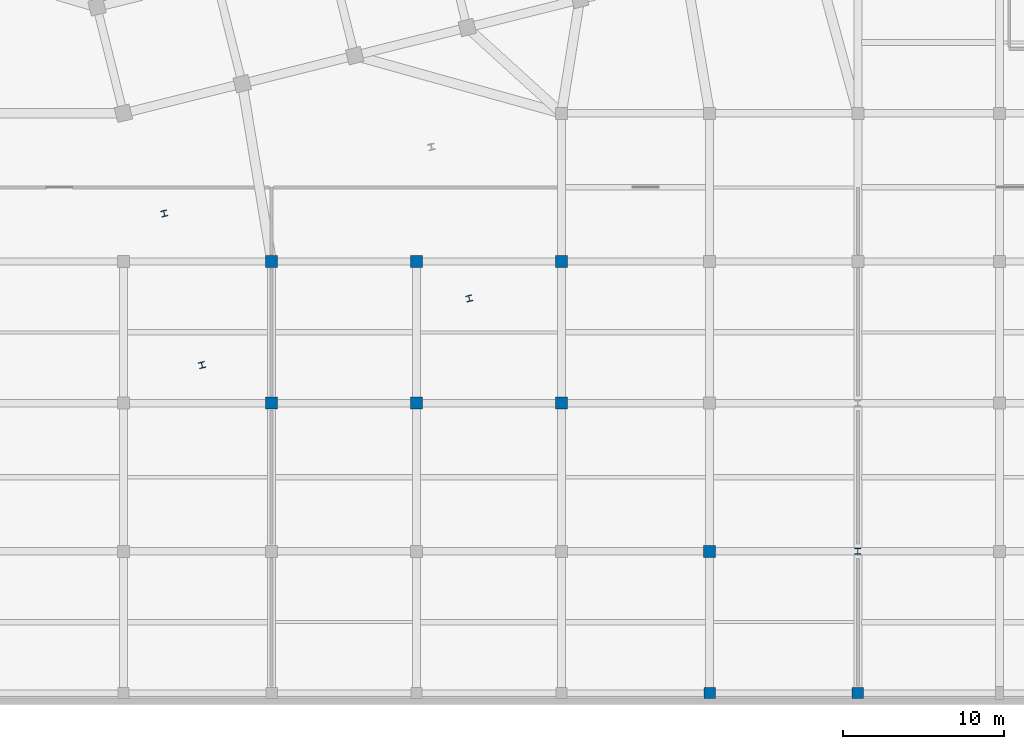
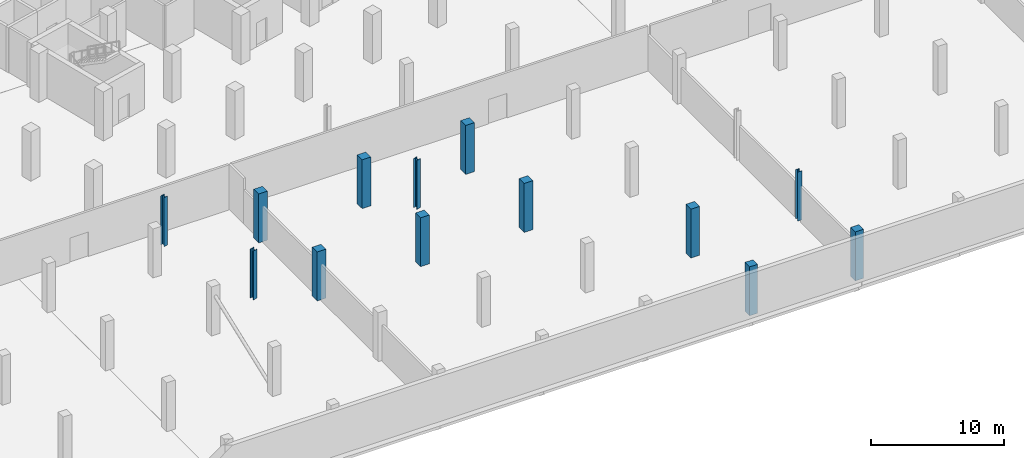
# One storey, part 4 of 31: 13 columns.
"""IFC4 building model written with IfcOpenShell, lengths in metres."""

import ifcopenshell
import ifcopenshell.guid

model = None  # the IFC model being written
_history = None  # IfcOwnerHistory: only IFC2X3 demands one
_inside = {}  # id of a spatial element -> (the spatial element, [elements in it])
_under = {}  # id of a project, library or spatial element -> (it, [spatial elements below it])
_declared = {}  # id of a project -> (the project, [libraries it declares])
_typed = {}  # id of a type object -> (the type object, [elements of that type])
_made_of = {}  # id of a material, layer set ... -> (it, [elements and type objects made of it])


def new_model(schema):
    """Start an empty IFC model of exactly this schema.

    Asked for "IFC4X3", IfcOpenShell would pick the latest addendum, in which some entities
    have other attributes; the version numbers below select the first issue.
    IFC2X3 requires an IfcOwnerHistory on every rooted entity: one is made here for all.
    """
    global model, _history
    if schema == "IFC4X3":
        model = ifcopenshell.file(schema_version=(4, 3, 0, 0))
    else:
        model = ifcopenshell.file(schema=schema)
    _inside.clear()
    _under.clear()
    _declared.clear()
    _typed.clear()
    _made_of.clear()
    _history = None
    if model.schema == "IFC2X3":
        org = make("IfcOrganization", Name="unknown")
        user = make(
            "IfcPersonAndOrganization",
            ThePerson=make("IfcPerson", FamilyName="unknown"),
            TheOrganization=org,
        )
        app = make(
            "IfcApplication",
            ApplicationDeveloper=org,
            Version="unknown",
            ApplicationFullName="unknown",
            ApplicationIdentifier="unknown",
        )
        _history = make(
            "IfcOwnerHistory",
            OwningUser=user,
            OwningApplication=app,
            ChangeAction="ADDED",
            CreationDate=0,
        )
    return model


def make(cls, **values):
    """One entity of the class cls with the attributes given. An attribute that is None is left unset."""
    return model.create_entity(
        cls, **{name: value for name, value in values.items() if value is not None}
    )


def rooted(cls, **values):
    """An entity with a GlobalId (a new one), such as an element, a storey or a relation."""
    return make(cls, GlobalId=ifcopenshell.guid.new(), OwnerHistory=_history, **values)


def si_unit(unit_type, name, prefix=None):
    """IfcSIUnit, for example si_unit("LENGTHUNIT", "METRE", prefix="MILLI")."""
    return make("IfcSIUnit", UnitType=unit_type, Prefix=prefix, Name=name)


def assignment(units):
    """IfcUnitAssignment: the units of a project."""
    return None if units is None else make("IfcUnitAssignment", Units=units)


def point(xyz):
    """IfcCartesianPoint."""
    return None if xyz is None else make("IfcCartesianPoint", Coordinates=xyz)


def direction(xyz):
    """IfcDirection."""
    return None if xyz is None else make("IfcDirection", DirectionRatios=xyz)


def frame(location, z_axis=None, x_axis=None):
    """IfcAxis2Placement3D, a coordinate frame: its origin and axes. An axis left out is left unset."""
    return make(
        "IfcAxis2Placement3D",
        Location=point(location),
        Axis=direction(z_axis),
        RefDirection=direction(x_axis),
    )


def frame_2d(location, x_axis=None):
    """IfcAxis2Placement2D, a coordinate frame in the plane: its origin and x axis."""
    return make(
        "IfcAxis2Placement2D", Location=point(location), RefDirection=direction(x_axis)
    )


def origin():
    """The frame at (0, 0, 0) with its axes left unset."""
    return frame((0.0, 0.0, 0.0))


def origin_2d():
    """The frame at (0, 0) in the plane with its x axis left unset."""
    return frame_2d((0.0, 0.0))


def place(relative_to, where):
    """IfcLocalPlacement: puts the frame where relative to a parent placement (None: the world)."""
    return make(
        "IfcLocalPlacement", PlacementRelTo=relative_to, RelativePlacement=where
    )


def context(
    kind, dimensions, precision=None, world=None, true_north=None, identifier=None
):
    """IfcGeometricRepresentationContext, for example the 3D "Model" context."""
    return make(
        "IfcGeometricRepresentationContext",
        ContextIdentifier=identifier,
        ContextType=kind,
        CoordinateSpaceDimension=dimensions,
        Precision=precision,
        WorldCoordinateSystem=world,
        TrueNorth=true_north,
    )


def subcontext(parent, identifier, kind, view, scale=None):
    """IfcGeometricRepresentationSubContext, for example "Body" below "Model"."""
    return make(
        "IfcGeometricRepresentationSubContext",
        ContextIdentifier=identifier,
        ContextType=kind,
        ParentContext=parent,
        TargetScale=scale,
        TargetView=view,
    )


def project(units=None, contexts=None):
    """IfcProject with its units and contexts."""
    return rooted(
        "IfcProject",
        Name="project",
        RepresentationContexts=contexts,
        UnitsInContext=assignment(units),
    )


def spatial(cls, under=None, at=None, **own):
    """A site, building, storey or space (cls), placed at a placement, below another one or the project."""
    s = rooted(cls, ObjectPlacement=at, **own)
    if under is not None:
        _under.setdefault(under.id(), (under, []))[1].append(s)
    return s


def profile(cls, at=None, kind="AREA", **sizes):
    """A parametric profile (cls). Its sizes go by their IFC names, for example OverallWidth=200.0."""
    return make(cls, ProfileType=kind, Position=at, **sizes)


def rectangle(**sizes):
    """IfcRectangleProfileDef."""
    return profile("IfcRectangleProfileDef", **sizes)


def i_section(**sizes):
    """IfcIShapeProfileDef."""
    return profile("IfcIShapeProfileDef", **sizes)


def extrude(swept, where, along, depth):
    """IfcExtrudedAreaSolid: the profile swept, set in the frame where, extruded along a direction by depth."""
    return make(
        "IfcExtrudedAreaSolid",
        SweptArea=swept,
        Position=where,
        ExtrudedDirection=direction(along),
        Depth=depth,
    )


def shape(context_of_items, identifier, shape_type, items):
    """IfcShapeRepresentation: the items that make up one representation, for example the "Body"."""
    return make(
        "IfcShapeRepresentation",
        ContextOfItems=context_of_items,
        RepresentationIdentifier=identifier,
        RepresentationType=shape_type,
        Items=items,
    )


def material(Name=None, Category=None):
    """IfcMaterial."""
    return make("IfcMaterial", Name=Name, Category=Category)


def material_profile(
    of_material, cross_section, Name=None, Category=None, Priority=None
):
    """IfcMaterialProfile: a cross section and its material."""
    return make(
        "IfcMaterialProfile",
        Name=Name,
        Material=of_material,
        Profile=cross_section,
        Priority=Priority,
        Category=Category,
    )


def profile_set(profiles, Name=None, composite=None):
    """IfcMaterialProfileSet."""
    return make(
        "IfcMaterialProfileSet",
        Name=Name,
        MaterialProfiles=profiles,
        CompositeProfile=composite,
    )


def made_of(thing, what):
    """Note that an element or type object is made of a material, layer set ...; save() writes the relation."""
    if what is not None:
        _made_of.setdefault(what.id(), (what, []))[1].append(thing)
    return thing


def type_object(cls, material=None, **own):
    """A type object (cls), such as IfcWallType, which elements share."""
    return made_of(rooted(cls, **own), material)


def element(
    cls,
    number,
    at=None,
    inside=None,
    cuts=None,
    type_object=None,
    material=None,
    context=None,
    identifier="Body",
    shape_type=None,
    held_by="IfcProductDefinitionShape",
    body=None,
    shapes=None,
    **own,
):
    """One element of the class cls, such as IfcWall. Its Tag is "e" and its number.

    at: its placement. inside: the storey or other place that contains it. cuts: it is an
    opening in that element (IfcRelVoidsElement). A single representation is given by context,
    identifier, shape_type and body (its items); several are given by shapes. held_by: the class
    of the entity that holds the representations. save() writes the other relations.
    """
    e = rooted(cls, Tag="e%d" % number, ObjectPlacement=at, **own)
    if body is not None:
        shapes = [shape(context, identifier, shape_type, body)]
    if shapes is not None:
        e.Representation = make(held_by, Representations=shapes)
    if inside is not None:
        _inside.setdefault(inside.id(), (inside, []))[1].append(e)
    if cuts is not None:
        rooted(
            "IfcRelVoidsElement", RelatingBuildingElement=cuts, RelatedOpeningElement=e
        )
    if type_object is not None:
        _typed.setdefault(type_object.id(), (type_object, []))[1].append(e)
    return made_of(e, material)


def aggregate(whole, parts):
    """IfcRelAggregates: a whole, such as a stair, and the parts it consists of."""
    return rooted("IfcRelAggregates", RelatingObject=whole, RelatedObjects=parts)


def save(model, path):
    """Write the relations noted so far, then the file.

    IfcRelAggregates (storeys below a building ...), IfcRelContainedInSpatialStructure (elements
    in a storey), IfcRelDefinesByType, IfcRelAssociatesMaterial and IfcRelDeclares: one each for
    every whole, place, type object, material and project.
    """
    for whole, parts in _under.values():
        aggregate(whole, parts)
    for where, things in _inside.values():
        rooted(
            "IfcRelContainedInSpatialStructure",
            RelatedElements=things,
            RelatingStructure=where,
        )
    for kind, things in _typed.values():
        rooted("IfcRelDefinesByType", RelatedObjects=things, RelatingType=kind)
    for what, things in _made_of.values():
        rooted("IfcRelAssociatesMaterial", RelatedObjects=things, RelatingMaterial=what)
    for by, libraries in _declared.values():
        rooted("IfcRelDeclares", RelatingContext=by, RelatedDefinitions=libraries)
    model.write(path)


model = new_model("IFC4")

# Units and contexts
model_context = context("Model", 3, precision=1e-05, world=origin(), true_north=direction((0.0, 1.0)))
body_context = subcontext(model_context, "Body", "Model", "MODEL_VIEW")
ifc_project = project(units=[si_unit("LENGTHUNIT", "METRE"), si_unit("AREAUNIT", "SQUARE_METRE"), si_unit("VOLUMEUNIT", "CUBIC_METRE"), si_unit("PLANEANGLEUNIT", "RADIAN"), si_unit("MASSUNIT", "GRAM", prefix="KILO")], contexts=[model_context])

# Site, building, storey
site_placement = place(None, origin())
site = spatial("IfcSite", under=ifc_project, at=site_placement, CompositionType="ELEMENT")
building_placement = place(site_placement, origin())
building = spatial("IfcBuilding", under=site, at=building_placement, Name="Meriwether Solvik Hall", CompositionType="ELEMENT")
storey_placement = place(building_placement, frame((0.0, 0.0, -4.5)))
storey = spatial("IfcBuildingStorey", under=building, at=storey_placement, Name="B01", CompositionType="ELEMENT", Elevation=-4.5)

# Columns
ifc_material_1 = material(Name="Concrete C40/50", Category="concrete")
ifc_material_profile_1 = material_profile(ifc_material_1, rectangle(XDim=0.699951171875, YDim=0.699951171875, at=origin_2d()), Name="RCC-700X700")
ifc_profile_set_1 = profile_set([ifc_material_profile_1], Name="Concrete C40/50")
column_type_1 = type_object("IfcColumnType", Name="COL-RC-700", PredefinedType="COLUMN", material=ifc_profile_set_1)
for number, where, z_axis, x_axis, name in (
    (1, (105.0, 5.199951171875, 0.0), (0.0, 0.0, 1.0), (1.0, 0.0, 0.0), "Podium Column 12/A (B01)"),
    (2, (114.199951171875, 5.199951171875, 0.0), (0.0, 0.0, 1.0), (1.0, 0.0, 0.0), "Podium Column 13/A (B01)"),
):
    element("IfcColumn", number, at=place(storey_placement, frame(where, z_axis=z_axis, x_axis=x_axis)), inside=storey, type_object=column_type_1, Name=name, PredefinedType="COLUMN", context=body_context, shape_type="SweptSolid", body=[
        extrude(rectangle(XDim=0.699951171875, YDim=0.699951171875, at=origin_2d()), origin(), (0.0, 0.0, 1.0), 4.5),
    ])
ifc_material_2 = material(Name="Concrete C40/50", Category="concrete")
ifc_material_profile_2 = material_profile(ifc_material_2, rectangle(XDim=0.75, YDim=0.75, at=origin_2d()), Name="RCC-750X750")
ifc_profile_set_2 = profile_set([ifc_material_profile_2], Name="Concrete C40/50")
column_type_2 = type_object("IfcColumnType", Name="COL-RC-750", PredefinedType="COLUMN", material=ifc_profile_set_2)
for number, where, z_axis, x_axis, name in (
    (3, (77.800048828125, 23.199951171875, 0.0), (0.0, 0.0, 1.0), (1.0, 0.0, 0.0), "Podium Column 9/C (B01)"),
    (4, (77.800048828125, 32.0, 0.0), (0.0, 0.0, 1.0), (1.0, 0.0, 0.0), "Podium Column 9/D (B01)"),
    (5, (86.800048828125, 23.199951171875, 0.0), (0.0, 0.0, 1.0), (1.0, 0.0, 0.0), "Podium Column 10/C (B01)"),
    (6, (86.800048828125, 32.0, 0.0), (0.0, 0.0, 1.0), (1.0, 0.0, 0.0), "Podium Column 10/D (B01)"),
    (7, (95.800048828125, 23.199951171875, 0.0), (0.0, 0.0, 1.0), (1.0, 0.0, 0.0), "Podium Column 11/C (B01)"),
    (8, (95.800048828125, 32.0, 0.0), (0.0, 0.0, 1.0), (1.0, 0.0, 0.0), "Podium Column 11/D (B01)"),
    (9, (105.0, 14.0, 0.0), (0.0, 0.0, 1.0), (1.0, 0.0, 0.0), "Podium Column 12/B (B01)"),
):
    element("IfcColumn", number, at=place(storey_placement, frame(where, z_axis=z_axis, x_axis=x_axis)), inside=storey, type_object=column_type_2, Name=name, PredefinedType="COLUMN", context=body_context, shape_type="SweptSolid", body=[
        extrude(rectangle(XDim=0.75, YDim=0.75, at=origin_2d()), origin(), (0.0, 0.0, 1.0), 4.5),
    ])
ifc_material_3 = material(Name="Steel A992 Grade 50", Category="steel")
ifc_material_profile_3 = material_profile(ifc_material_3, i_section(OverallWidth=0.3740234375, OverallDepth=0.3720703125, WebThickness=0.016357421875, FlangeThickness=0.026123046875, at=origin_2d()), Name="W14X132")
ifc_profile_set_3 = profile_set([ifc_material_profile_3], Name="Steel A992 Grade 50")
column_type_3 = type_object("IfcColumnType", Name="COL-STL-W14X132", PredefinedType="COLUMN", material=ifc_profile_set_3)
for number, where, z_axis, x_axis, name in (
    (10, (114.199951171875, 14.0, 0.0), (0.0, 0.0, 1.0), (1.0, 0.0, 0.0), "Podium Column 13/B (B01)"),
    (11, (73.477294921875, 25.5654296875, 0.0), (0.0, 0.0, 1.0), (0.970295726276, 0.2419218956, 0.0), "Atrium Cleft Corner Column SW (B01)"),
    (12, (90.0693359375, 29.702392578125, 0.0), (0.0, 0.0, 1.0), (0.970295726276, 0.2419218956, 0.0), "Atrium Cleft Corner Column SE (B01)"),
    (13, (71.130615234375, 34.977294921875, 0.0), (0.0, 0.0, 1.0), (0.970295726276, 0.2419218956, 0.0), "Atrium Cleft Corner Column NW (B01)"),
):
    element("IfcColumn", number, at=place(storey_placement, frame(where, z_axis=z_axis, x_axis=x_axis)), inside=storey, type_object=column_type_3, Name=name, PredefinedType="COLUMN", context=body_context, shape_type="SweptSolid", body=[
        extrude(i_section(OverallWidth=0.3740234375, OverallDepth=0.3720703125, WebThickness=0.016357421875, FlangeThickness=0.026123046875, at=origin_2d()), origin(), (0.0, 0.0, 1.0), 4.5),
    ])

save(model, "model.ifc")
